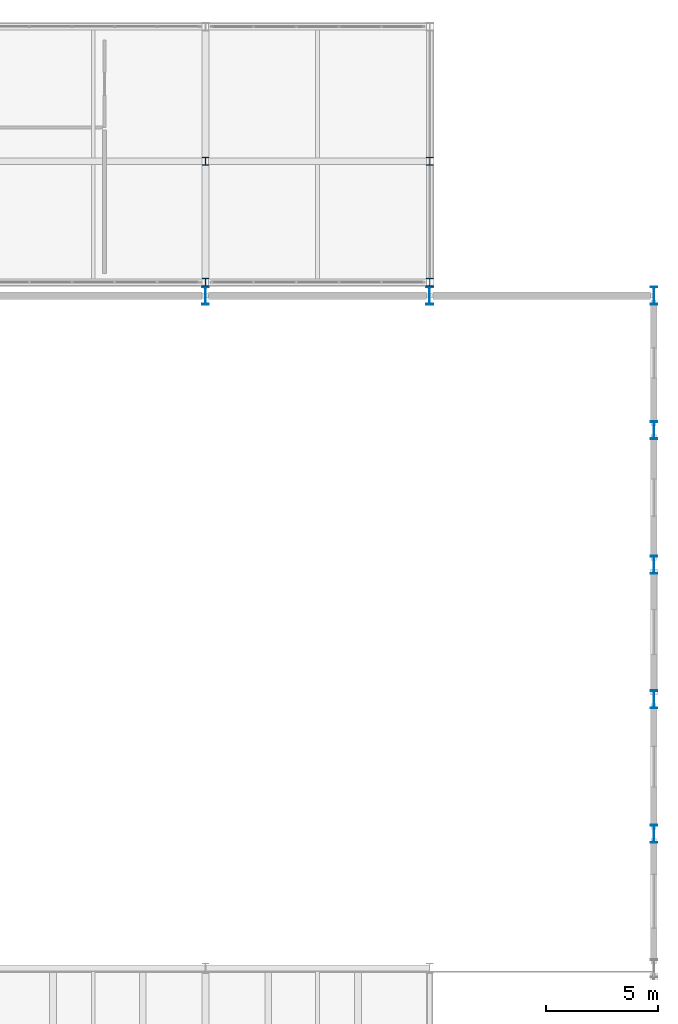
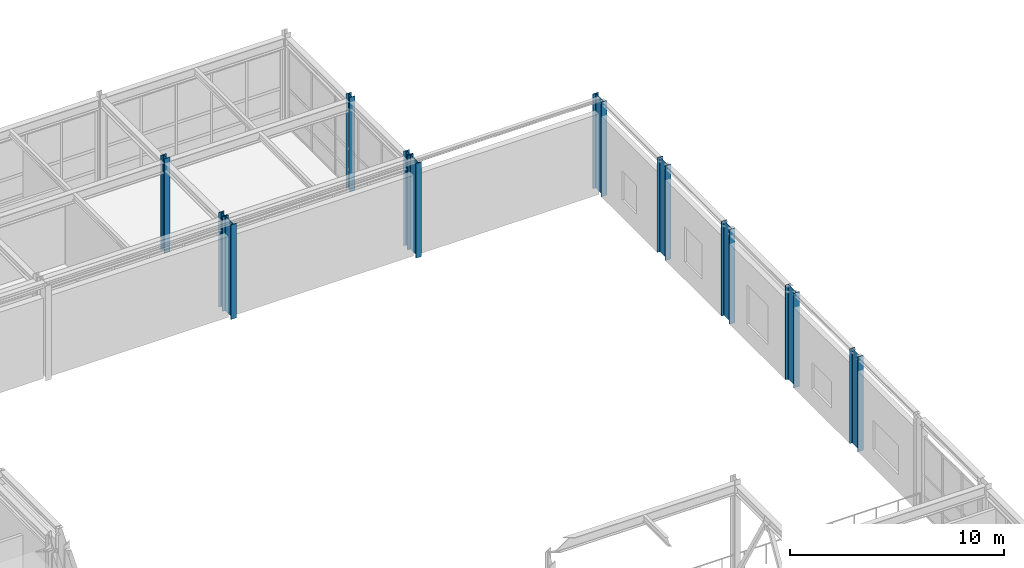
# One storey, part 18 of 210: 11 columns.
"""IFC4 building model written with IfcOpenShell, lengths in metres."""

import ifcopenshell
import ifcopenshell.guid

model = None  # the IFC model being written
_history = None  # IfcOwnerHistory: only IFC2X3 demands one
_inside = {}  # id of a spatial element -> (the spatial element, [elements in it])
_under = {}  # id of a project, library or spatial element -> (it, [spatial elements below it])
_declared = {}  # id of a project -> (the project, [libraries it declares])
_typed = {}  # id of a type object -> (the type object, [elements of that type])
_made_of = {}  # id of a material, layer set ... -> (it, [elements and type objects made of it])


def new_model(schema):
    """Start an empty IFC model of exactly this schema.

    Asked for "IFC4X3", IfcOpenShell would pick the latest addendum, in which some entities
    have other attributes; the version numbers below select the first issue.
    IFC2X3 requires an IfcOwnerHistory on every rooted entity: one is made here for all.
    """
    global model, _history
    if schema == "IFC4X3":
        model = ifcopenshell.file(schema_version=(4, 3, 0, 0))
    else:
        model = ifcopenshell.file(schema=schema)
    _inside.clear()
    _under.clear()
    _declared.clear()
    _typed.clear()
    _made_of.clear()
    _history = None
    if model.schema == "IFC2X3":
        org = make("IfcOrganization", Name="unknown")
        user = make(
            "IfcPersonAndOrganization",
            ThePerson=make("IfcPerson", FamilyName="unknown"),
            TheOrganization=org,
        )
        app = make(
            "IfcApplication",
            ApplicationDeveloper=org,
            Version="unknown",
            ApplicationFullName="unknown",
            ApplicationIdentifier="unknown",
        )
        _history = make(
            "IfcOwnerHistory",
            OwningUser=user,
            OwningApplication=app,
            ChangeAction="ADDED",
            CreationDate=0,
        )
    return model


def make(cls, **values):
    """One entity of the class cls with the attributes given. An attribute that is None is left unset."""
    return model.create_entity(
        cls, **{name: value for name, value in values.items() if value is not None}
    )


def rooted(cls, **values):
    """An entity with a GlobalId (a new one), such as an element, a storey or a relation."""
    return make(cls, GlobalId=ifcopenshell.guid.new(), OwnerHistory=_history, **values)


def si_unit(unit_type, name, prefix=None):
    """IfcSIUnit, for example si_unit("LENGTHUNIT", "METRE", prefix="MILLI")."""
    return make("IfcSIUnit", UnitType=unit_type, Prefix=prefix, Name=name)


def assignment(units):
    """IfcUnitAssignment: the units of a project."""
    return None if units is None else make("IfcUnitAssignment", Units=units)


def point(xyz):
    """IfcCartesianPoint."""
    return None if xyz is None else make("IfcCartesianPoint", Coordinates=xyz)


def direction(xyz):
    """IfcDirection."""
    return None if xyz is None else make("IfcDirection", DirectionRatios=xyz)


def frame(location, z_axis=None, x_axis=None):
    """IfcAxis2Placement3D, a coordinate frame: its origin and axes. An axis left out is left unset."""
    return make(
        "IfcAxis2Placement3D",
        Location=point(location),
        Axis=direction(z_axis),
        RefDirection=direction(x_axis),
    )


def frame_2d(location, x_axis=None):
    """IfcAxis2Placement2D, a coordinate frame in the plane: its origin and x axis."""
    return make(
        "IfcAxis2Placement2D", Location=point(location), RefDirection=direction(x_axis)
    )


def origin():
    """The frame at (0, 0, 0) with its axes left unset."""
    return frame((0.0, 0.0, 0.0))


def origin_2d():
    """The frame at (0, 0) in the plane with its x axis left unset."""
    return frame_2d((0.0, 0.0))


def place(relative_to, where):
    """IfcLocalPlacement: puts the frame where relative to a parent placement (None: the world)."""
    return make(
        "IfcLocalPlacement", PlacementRelTo=relative_to, RelativePlacement=where
    )


def context(
    kind, dimensions, precision=None, world=None, true_north=None, identifier=None
):
    """IfcGeometricRepresentationContext, for example the 3D "Model" context."""
    return make(
        "IfcGeometricRepresentationContext",
        ContextIdentifier=identifier,
        ContextType=kind,
        CoordinateSpaceDimension=dimensions,
        Precision=precision,
        WorldCoordinateSystem=world,
        TrueNorth=true_north,
    )


def subcontext(parent, identifier, kind, view, scale=None):
    """IfcGeometricRepresentationSubContext, for example "Body" below "Model"."""
    return make(
        "IfcGeometricRepresentationSubContext",
        ContextIdentifier=identifier,
        ContextType=kind,
        ParentContext=parent,
        TargetScale=scale,
        TargetView=view,
    )


def project(units=None, contexts=None):
    """IfcProject with its units and contexts."""
    return rooted(
        "IfcProject",
        Name="project",
        RepresentationContexts=contexts,
        UnitsInContext=assignment(units),
    )


def spatial(cls, under=None, at=None, **own):
    """A site, building, storey or space (cls), placed at a placement, below another one or the project."""
    s = rooted(cls, ObjectPlacement=at, **own)
    if under is not None:
        _under.setdefault(under.id(), (under, []))[1].append(s)
    return s


def profile(cls, at=None, kind="AREA", **sizes):
    """A parametric profile (cls). Its sizes go by their IFC names, for example OverallWidth=200.0."""
    return make(cls, ProfileType=kind, Position=at, **sizes)


def i_section(**sizes):
    """IfcIShapeProfileDef."""
    return profile("IfcIShapeProfileDef", **sizes)


def extrude(swept, where, along, depth):
    """IfcExtrudedAreaSolid: the profile swept, set in the frame where, extruded along a direction by depth."""
    return make(
        "IfcExtrudedAreaSolid",
        SweptArea=swept,
        Position=where,
        ExtrudedDirection=direction(along),
        Depth=depth,
    )


def shape(context_of_items, identifier, shape_type, items):
    """IfcShapeRepresentation: the items that make up one representation, for example the "Body"."""
    return make(
        "IfcShapeRepresentation",
        ContextOfItems=context_of_items,
        RepresentationIdentifier=identifier,
        RepresentationType=shape_type,
        Items=items,
    )


def material(Name=None, Category=None):
    """IfcMaterial."""
    return make("IfcMaterial", Name=Name, Category=Category)


def material_profile(
    of_material, cross_section, Name=None, Category=None, Priority=None
):
    """IfcMaterialProfile: a cross section and its material."""
    return make(
        "IfcMaterialProfile",
        Name=Name,
        Material=of_material,
        Profile=cross_section,
        Priority=Priority,
        Category=Category,
    )


def profile_set(profiles, Name=None, composite=None):
    """IfcMaterialProfileSet."""
    return make(
        "IfcMaterialProfileSet",
        Name=Name,
        MaterialProfiles=profiles,
        CompositeProfile=composite,
    )


def made_of(thing, what):
    """Note that an element or type object is made of a material, layer set ...; save() writes the relation."""
    if what is not None:
        _made_of.setdefault(what.id(), (what, []))[1].append(thing)
    return thing


def type_object(cls, material=None, **own):
    """A type object (cls), such as IfcWallType, which elements share."""
    return made_of(rooted(cls, **own), material)


def element(
    cls,
    number,
    at=None,
    inside=None,
    cuts=None,
    type_object=None,
    material=None,
    context=None,
    identifier="Body",
    shape_type=None,
    held_by="IfcProductDefinitionShape",
    body=None,
    shapes=None,
    **own,
):
    """One element of the class cls, such as IfcWall. Its Tag is "e" and its number.

    at: its placement. inside: the storey or other place that contains it. cuts: it is an
    opening in that element (IfcRelVoidsElement). A single representation is given by context,
    identifier, shape_type and body (its items); several are given by shapes. held_by: the class
    of the entity that holds the representations. save() writes the other relations.
    """
    e = rooted(cls, Tag="e%d" % number, ObjectPlacement=at, **own)
    if body is not None:
        shapes = [shape(context, identifier, shape_type, body)]
    if shapes is not None:
        e.Representation = make(held_by, Representations=shapes)
    if inside is not None:
        _inside.setdefault(inside.id(), (inside, []))[1].append(e)
    if cuts is not None:
        rooted(
            "IfcRelVoidsElement", RelatingBuildingElement=cuts, RelatedOpeningElement=e
        )
    if type_object is not None:
        _typed.setdefault(type_object.id(), (type_object, []))[1].append(e)
    return made_of(e, material)


def aggregate(whole, parts):
    """IfcRelAggregates: a whole, such as a stair, and the parts it consists of."""
    return rooted("IfcRelAggregates", RelatingObject=whole, RelatedObjects=parts)


def save(model, path):
    """Write the relations noted so far, then the file.

    IfcRelAggregates (storeys below a building ...), IfcRelContainedInSpatialStructure (elements
    in a storey), IfcRelDefinesByType, IfcRelAssociatesMaterial and IfcRelDeclares: one each for
    every whole, place, type object, material and project.
    """
    for whole, parts in _under.values():
        aggregate(whole, parts)
    for where, things in _inside.values():
        rooted(
            "IfcRelContainedInSpatialStructure",
            RelatedElements=things,
            RelatingStructure=where,
        )
    for kind, things in _typed.values():
        rooted("IfcRelDefinesByType", RelatedObjects=things, RelatingType=kind)
    for what, things in _made_of.values():
        rooted("IfcRelAssociatesMaterial", RelatedObjects=things, RelatingMaterial=what)
    for by, libraries in _declared.values():
        rooted("IfcRelDeclares", RelatingContext=by, RelatedDefinitions=libraries)
    model.write(path)


model = new_model("IFC4")

# Units and contexts
model_context = context("Model", 3, precision=1e-05, world=origin(), true_north=direction((0.0, 1.0)))
body_context = subcontext(model_context, "Body", "Model", "MODEL_VIEW")
ifc_project = project(units=[si_unit("LENGTHUNIT", "METRE"), si_unit("AREAUNIT", "SQUARE_METRE"), si_unit("VOLUMEUNIT", "CUBIC_METRE"), si_unit("PLANEANGLEUNIT", "RADIAN"), si_unit("MASSUNIT", "GRAM", prefix="KILO")], contexts=[model_context])

# Site, building, storey
site_placement = place(None, origin())
site = spatial("IfcSite", under=ifc_project, at=site_placement, CompositionType="ELEMENT")
building_placement = place(site_placement, origin())
building = spatial("IfcBuilding", under=site, at=building_placement, Name="Kaldris Quays Convention Centre", CompositionType="ELEMENT")
storey_placement = place(building_placement, frame((0.0, 0.0, 6.0)))
storey = spatial("IfcBuildingStorey", under=building, at=storey_placement, Name="L01", CompositionType="ELEMENT", Elevation=6.0)

# Columns
ifc_material = material(Name="Steel S355J2", Category="steel")
ifc_material_profile_1 = material_profile(ifc_material, i_section(OverallWidth=0.300048828125, OverallDepth=0.800048828125, WebThickness=0.017578125, FlangeThickness=0.032958984375, FilletRadius=0.030029296875, at=origin_2d()), Name="HEB 800")
ifc_profile_set_1 = profile_set([ifc_material_profile_1], Name="Steel S355J2")
column_type_1 = type_object("IfcColumnType", Name="STRUCTURAL COLUMN CL04", PredefinedType="COLUMN", material=ifc_profile_set_1)
for number, where, z_axis, x_axis, name in (
    (1, (184.0, 104.0, 0.0), (0.0, 0.0, 1.0), (1.0, 0.0, 0.0), "L01 V2 Column CL04 (184.00, 104.00)"),
    (2, (194.0, 104.0, 0.0), (0.0, 0.0, 1.0), (1.0, 0.0, 0.0), "L01 V2 Column CL04 (194.00, 104.00)"),
    (3, (204.0, 80.0, 0.0), (0.0, 0.0, 1.0), (1.0, 0.0, 0.0), "L01 V2 Column CL04 (204.00, 80.00)"),
    (4, (204.0, 86.0, 0.0), (0.0, 0.0, 1.0), (1.0, 0.0, 0.0), "L01 V2 Column CL04 (204.00, 86.00)"),
    (5, (204.0, 92.0, 0.0), (0.0, 0.0, 1.0), (1.0, 0.0, 0.0), "L01 V2 Column CL04 (204.00, 92.00)"),
    (6, (204.0, 98.0, 0.0), (0.0, 0.0, 1.0), (1.0, 0.0, 0.0), "L01 V2 Column CL04 (204.00, 98.00)"),
    (7, (204.0, 104.0, 0.0), (0.0, 0.0, 1.0), (1.0, 0.0, 0.0), "L01 V2 Column CL04 (204.00, 104.00)"),
):
    element("IfcColumn", number, at=place(storey_placement, frame(where, z_axis=z_axis, x_axis=x_axis)), inside=storey, type_object=column_type_1, Name=name, PredefinedType="COLUMN", context=body_context, shape_type="SweptSolid", body=[
        extrude(i_section(OverallWidth=0.300048828125, OverallDepth=0.800048828125, WebThickness=0.017578125, FlangeThickness=0.032958984375, FilletRadius=0.030029296875, at=origin_2d()), origin(), (0.0, 0.0, 1.0), 5.39990234375),
    ])
ifc_material_profile_2 = material_profile(ifc_material, i_section(OverallWidth=0.300048828125, OverallDepth=0.360107421875, WebThickness=0.012451171875, FlangeThickness=0.0224609375, FilletRadius=0.027099609375, at=origin_2d()), Name="HEB 360")
ifc_profile_set_2 = profile_set([ifc_material_profile_2], Name="Steel S355J2")
column_type_2 = type_object("IfcColumnType", Name="STRUCTURAL COLUMN CL10", PredefinedType="COLUMN", material=ifc_profile_set_2)
for number, where, z_axis, x_axis, name in (
    (8, (184.0, 104.60009765625, 0.0), (0.0, 0.0, 1.0), (1.0, 0.0, 0.0), "L01 V4 Column CL10 (184.00, 104.60)"),
    (9, (184.0, 110.0, 0.0), (0.0, 0.0, 1.0), (1.0, 0.0, 0.0), "L01 V4 Column CL10 (184.00, 110.00)"),
    (10, (194.0, 104.60009765625, 0.0), (0.0, 0.0, 1.0), (1.0, 0.0, 0.0), "L01 V4 Column CL10 (194.00, 104.60)"),
    (11, (194.0, 110.0, 0.0), (0.0, 0.0, 1.0), (1.0, 0.0, 0.0), "L01 V4 Column CL10 (194.00, 110.00)"),
):
    element("IfcColumn", number, at=place(storey_placement, frame(where, z_axis=z_axis, x_axis=x_axis)), inside=storey, type_object=column_type_2, Name=name, PredefinedType="COLUMN", context=body_context, shape_type="SweptSolid", body=[
        extrude(i_section(OverallWidth=0.300048828125, OverallDepth=0.360107421875, WebThickness=0.012451171875, FlangeThickness=0.0224609375, FilletRadius=0.027099609375, at=origin_2d()), origin(), (0.0, 0.0, 1.0), 5.39990234375),
    ])

save(model, "model.ifc")
